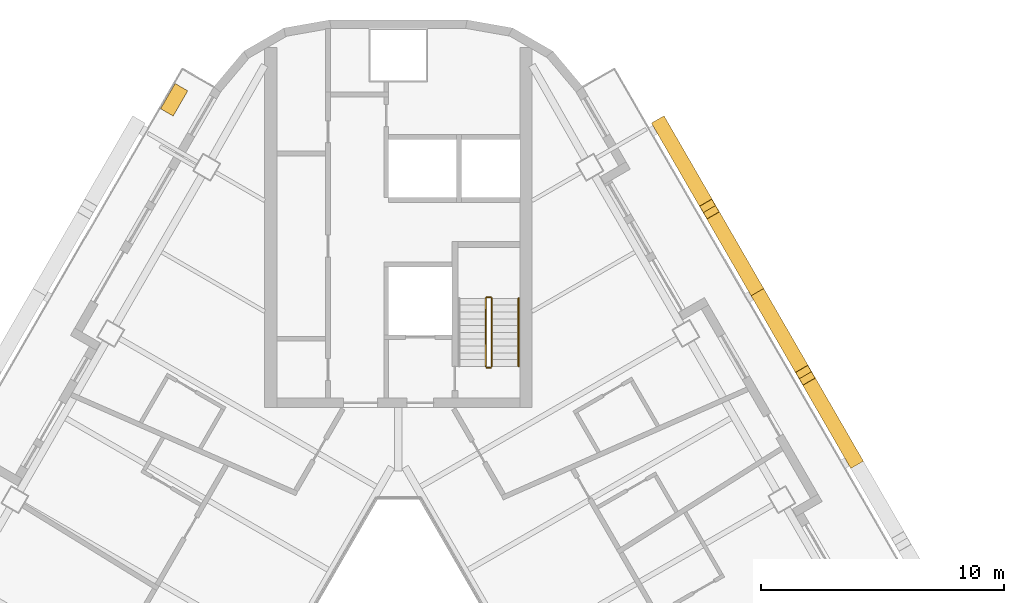
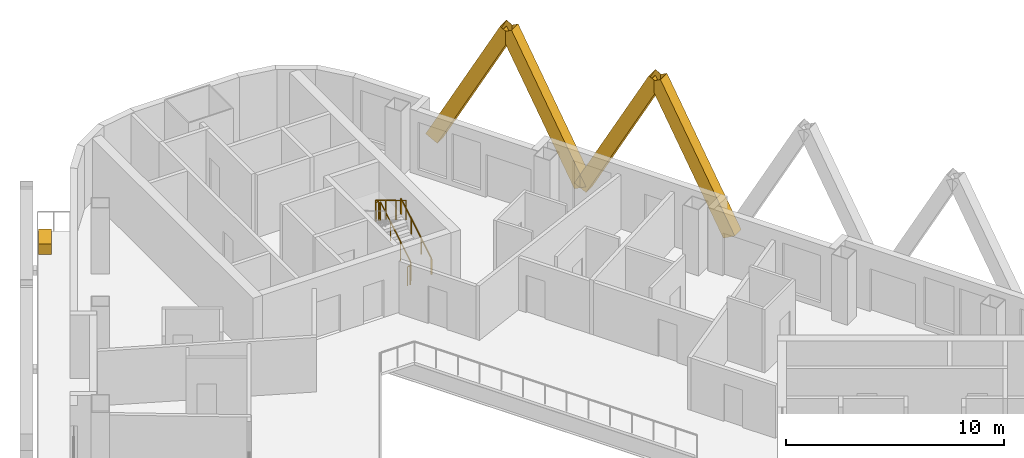
# One storey, part 14 of 14: 5 railings, 4 shading devices, 1 covering.
"""IFC4 building model written with IfcOpenShell, lengths in metres."""

from ifc_helpers import new_model, si_unit, direction, frame, origin, origin_2d, place, context, subcontext, project, spatial, rectangle, hollow_rectangle, circle, extrude, material, material_profile, profile_set, type_object, element, save


model = new_model("IFC4")

# Units and contexts
model_context = context("Model", 3, precision=1e-05, world=origin(), true_north=direction((0.0, 1.0)))
body_context = subcontext(model_context, "Body", "Model", "MODEL_VIEW")
ifc_project = project(units=[si_unit("LENGTHUNIT", "METRE"), si_unit("AREAUNIT", "SQUARE_METRE"), si_unit("VOLUMEUNIT", "CUBIC_METRE"), si_unit("PLANEANGLEUNIT", "RADIAN"), si_unit("MASSUNIT", "GRAM", prefix="KILO")], contexts=[model_context])

# Site, building, storey
site_placement = place(None, origin())
site = spatial("IfcSite", under=ifc_project, at=site_placement, CompositionType="ELEMENT")
building_placement = place(site_placement, origin())
building = spatial("IfcBuilding", under=site, at=building_placement, Name="Apuvela Tower Hotel", CompositionType="ELEMENT")
storey_placement = place(building_placement, frame((0.0, 0.0, 176.199951171875)))
storey = spatial("IfcBuildingStorey", under=building, at=storey_placement, Name="L42", CompositionType="ELEMENT", Elevation=176.199951171875)

# Railings
ifc_material_1 = material(Name="Steel S275 balustrade", Category="steel")
railing_type_1 = type_object("IfcRailingType", Name="COR-GUARD-1100", PredefinedType="GUARDRAIL", material=ifc_material_1)
railing_1_placement = place(storey_placement, frame((3.85009765625, 14.60009765625, 0.168212890625)))
element("IfcRailing", 1, at=railing_1_placement, inside=storey, type_object=railing_type_1, Name="L42 ST1 stair guard 1", PredefinedType="GUARDRAIL", context=body_context, shape_type="SweptSolid", body=[
    extrude(rectangle(XDim=0.048095703125, YDim=0.048095703125, at=origin_2d()), frame((0.0, 0.0, 1.076171875), z_axis=(0.0, 0.857222391501, 0.514946377315), x_axis=(-1.0, 0.0, 0.0)), (0.0, 0.0, 1.0), 3.26611328125),
    extrude(rectangle(XDim=0.0419921875, YDim=0.0419921875, at=origin_2d()), origin(), (0.0, 0.0, 1.0), 1.052001953125),
    extrude(rectangle(XDim=0.0419921875, YDim=0.0419921875, at=origin_2d()), frame((0.0, 0.933349609375, 0.560546875)), (0.0, 0.0, 1.0), 1.052001953125),
    extrude(rectangle(XDim=0.0419921875, YDim=0.0419921875, at=origin_2d()), frame((0.0, 1.866455078125, 1.121337890625)), (0.0, 0.0, 1.0), 1.052001953125),
    extrude(rectangle(XDim=0.0419921875, YDim=0.0419921875, at=origin_2d()), frame((0.0, 2.7998046875, 1.681884765625)), (0.0, 0.0, 1.0), 1.052001953125),
])
railing_2_placement = place(storey_placement, frame((3.800048828125, 17.449951171875, 1.85009765625)))
element("IfcRailing", 2, at=railing_2_placement, inside=storey, type_object=railing_type_1, Name="L42 ST1 stair guard 2", PredefinedType="GUARDRAIL", context=body_context, shape_type="SweptSolid", body=[
    extrude(rectangle(XDim=0.048095703125, YDim=0.048095703125, at=origin_2d()), frame((0.0, 0.0, 1.076171875), z_axis=(-1.0, 0.0, 0.0), x_axis=(0.0, -1.0, 0.0)), (0.0, 0.0, 1.0), 0.150146484375),
    extrude(rectangle(XDim=0.0419921875, YDim=0.0419921875, at=origin_2d()), origin(), (0.0, 0.0, 1.0), 1.052001953125),
    extrude(rectangle(XDim=0.0419921875, YDim=0.0419921875, at=origin_2d()), frame((-0.150146484375, 0.0, 0.0)), (0.0, 0.0, 1.0), 1.052001953125),
])
railing_3_placement = place(storey_placement, frame((3.60009765625, 17.39990234375, 2.018310546875)))
element("IfcRailing", 3, at=railing_3_placement, inside=storey, type_object=railing_type_1, Name="L42 ST1 stair guard 3", PredefinedType="GUARDRAIL", context=body_context, shape_type="SweptSolid", body=[
    extrude(rectangle(XDim=0.048095703125, YDim=0.048095703125, at=origin_2d()), frame((0.0, 0.0, 1.076171875), z_axis=(0.0, -0.857255387014, 0.514891446264), x_axis=(1.0, 0.0, 0.0)), (0.0, 0.0, 1.0), 3.26611328125),
    extrude(rectangle(XDim=0.0419921875, YDim=0.0419921875, at=origin_2d()), origin(), (0.0, 0.0, 1.0), 1.052001953125),
    extrude(rectangle(XDim=0.0419921875, YDim=0.0419921875, at=origin_2d()), frame((0.0, -0.933349609375, 0.560546875)), (0.0, 0.0, 1.0), 1.052001953125),
    extrude(rectangle(XDim=0.0419921875, YDim=0.0419921875, at=origin_2d()), frame((0.0, -1.866455078125, 1.12109375)), (0.0, 0.0, 1.0), 1.052001953125),
    extrude(rectangle(XDim=0.0419921875, YDim=0.0419921875, at=origin_2d()), frame((0.0, -2.7998046875, 1.681640625)), (0.0, 0.0, 1.0), 1.052001953125),
])
railing_4_placement = place(storey_placement, frame((3.800048828125, 14.550048828125, 0.0)))
element("IfcRailing", 4, at=railing_4_placement, inside=storey, type_object=railing_type_1, Name="L42 ST1 stair guard 4", PredefinedType="GUARDRAIL", context=body_context, shape_type="SweptSolid", body=[
    extrude(rectangle(XDim=0.048095703125, YDim=0.048095703125, at=origin_2d()), frame((0.0, 0.0, 1.076171875), z_axis=(-1.0, 0.0, 0.0), x_axis=(0.0, -1.0, 0.0)), (0.0, 0.0, 1.0), 0.150146484375),
    extrude(rectangle(XDim=0.0419921875, YDim=0.0419921875, at=origin_2d()), origin(), (0.0, 0.0, 1.0), 1.052001953125),
    extrude(rectangle(XDim=0.0419921875, YDim=0.0419921875, at=origin_2d()), frame((-0.150146484375, 0.0, 0.0)), (0.0, 0.0, 1.0), 1.052001953125),
])
ifc_material_2 = material(Name="Stainless steel 316 handrail", Category="steel")
railing_type_2 = type_object("IfcRailingType", Name="COR-HANDRAIL-900", PredefinedType="HANDRAIL", material=ifc_material_2)
railing_5_placement = place(storey_placement, frame((4.949951171875, 14.60009765625, 0.168212890625)))
element("IfcRailing", 5, at=railing_5_placement, inside=storey, type_object=railing_type_2, Name="L42 ST1 stair handrail 1", PredefinedType="HANDRAIL", context=body_context, shape_type="SweptSolid", body=[
    extrude(circle(Radius=0.02392578125, at=origin_2d()), frame((0.0, 0.0, 0.8759765625), z_axis=(0.0, 0.857222391501, 0.514946377315), x_axis=(-1.0, 0.0, 0.0)), (0.0, 0.0, 1.0), 3.26611328125),
    extrude(rectangle(XDim=0.0419921875, YDim=0.0419921875, at=origin_2d()), origin(), (0.0, 0.0, 1.0), 0.851806640625),
    extrude(rectangle(XDim=0.0419921875, YDim=0.0419921875, at=origin_2d()), frame((0.0, 0.933349609375, 0.560546875)), (0.0, 0.0, 1.0), 0.851806640625),
    extrude(rectangle(XDim=0.0419921875, YDim=0.0419921875, at=origin_2d()), frame((0.0, 1.866455078125, 1.121337890625)), (0.0, 0.0, 1.0), 0.851806640625),
    extrude(rectangle(XDim=0.0419921875, YDim=0.0419921875, at=origin_2d()), frame((0.0, 2.7998046875, 1.681884765625)), (0.0, 0.0, 1.0), 0.851806640625),
])

# Shading devices
ifc_material_3 = material(Name="Aluminium 6063-T6, black anodised", Category="aluminium")
ifc_material_profile = material_profile(ifc_material_3, hollow_rectangle(XDim=0.60009765625, YDim=0.699951171875, WallThickness=0.011962890625, at=origin_2d()), Name="AL BOX 700x600x12")
ifc_profile_set = profile_set([ifc_material_profile], Name="Aluminium 6063-T6, black anodised")
shading_device_type = type_object("IfcShadingDeviceType", Name="ENV-FIN-700x600", PredefinedType="USERDEFINED", material=ifc_profile_set)
for number, where, z_axis, x_axis, name in (
    (6, (18.732177734375, 10.81494140625, -0.099853515625), (-0.235461085354, 0.407822092458, 0.882178677019), (-0.866020906874, -0.500007788796, 0.0), "Lattice fin NE373"),
    (7, (14.781982421875, 17.656494140625, -0.099853515625), (0.235463880167, -0.407797827568, 0.882189148067), (0.866005453737, 0.500034552904, 0.0), "Lattice fin NE374"),
    (8, (14.781982421875, 17.656494140625, -0.099853515625), (-0.235433593518, 0.407824887177, 0.882184722404), (-0.866047669374, -0.499961432884, 0.0), "Lattice fin NE375"),
    (9, (10.83203125, 24.498291015625, -0.099853515625), (0.235461085354, -0.407822092458, 0.882178677019), (0.866020906874, 0.500007788796, 0.0), "Lattice fin NE376"),
):
    element("IfcShadingDevice", number, at=place(storey_placement, frame(where, z_axis=z_axis, x_axis=x_axis)), inside=storey, type_object=shading_device_type, Name=name, ObjectType="FIN", PredefinedType="USERDEFINED", context=body_context, shape_type="SweptSolid", body=[
        extrude(hollow_rectangle(XDim=0.60009765625, YDim=0.699951171875, WallThickness=0.011962890625, at=origin_2d()), origin(), (0.0, 0.0, 1.0), 8.38818359375),
    ])

# Covering
ifc_material_4 = material(Name="Planting substrate and soil, planted")
covering_type = type_object("IfcCoveringType", Name="ENV-PLANTER-1200x600", PredefinedType="USERDEFINED", material=ifc_material_4)
covering_placement = place(storey_placement, frame((-9.228515625, 25.57568359375, 0.0), z_axis=(0.0, 0.0, 1.0), x_axis=(-0.5, -0.866025403784, 0.0)))
element("IfcCovering", 10, at=covering_placement, inside=storey, type_object=covering_type, Name="Planter NW4", ObjectType="PLANTER", PredefinedType="USERDEFINED", context=body_context, shape_type="SweptSolid", body=[
    extrude(rectangle(XDim=1.199951171875, YDim=0.60009765625, at=origin_2d()), origin(), (0.0, 0.0, 1.0), 0.60009765625),
])

save(model, "model.ifc")
